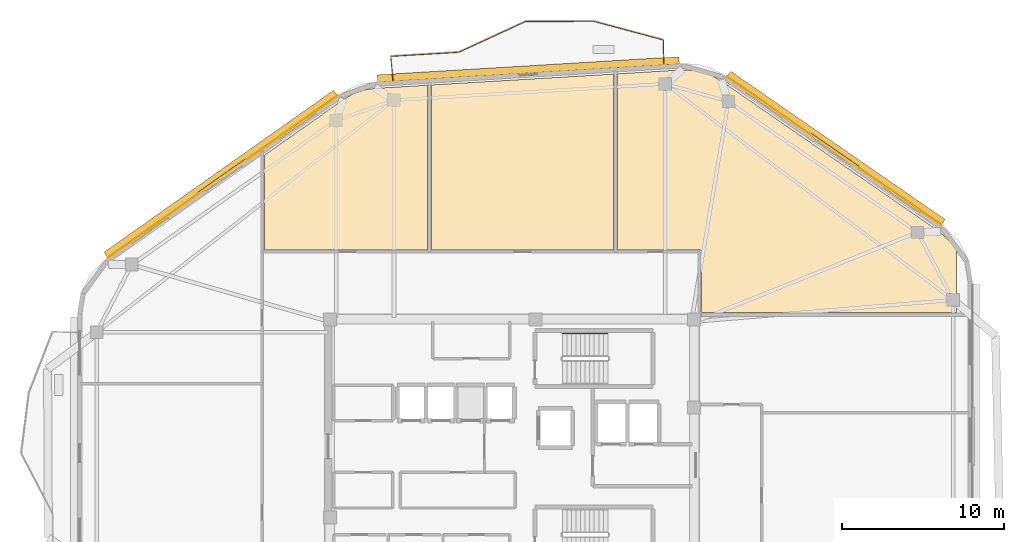
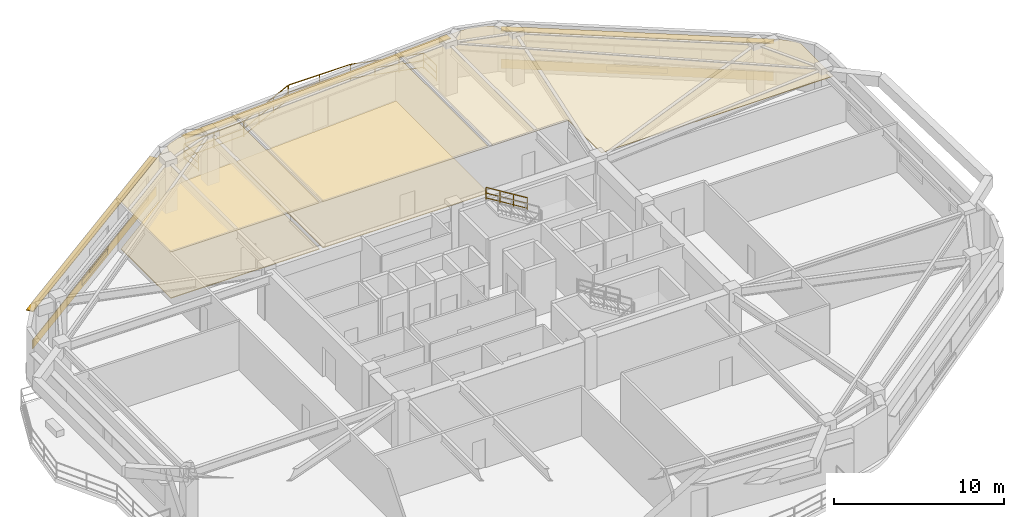
# One storey, part 9 of 10: 7 coverings, 7 railings, 5 shading devices.
"""IFC4 building model written with IfcOpenShell, lengths in metres."""

from ifc_helpers import new_model, si_unit, direction, frame, origin, origin_2d, place, context, subcontext, project, spatial, polyline, rectangle, outline, extrude, material, layer, layer_set, type_object, element, save


model = new_model("IFC4")

# Units and contexts
model_context = context("Model", 3, precision=1e-05, world=origin(), true_north=direction((0.0, 1.0)))
body_context = subcontext(model_context, "Body", "Model", "MODEL_VIEW")
ifc_project = project(units=[si_unit("LENGTHUNIT", "METRE"), si_unit("AREAUNIT", "SQUARE_METRE"), si_unit("VOLUMEUNIT", "CUBIC_METRE"), si_unit("PLANEANGLEUNIT", "RADIAN"), si_unit("MASSUNIT", "GRAM", prefix="KILO")], contexts=[model_context])

# Site, building, storey
site_placement = place(None, origin())
site = spatial("IfcSite", under=ifc_project, at=site_placement, CompositionType="ELEMENT")
building_placement = place(site_placement, origin())
building = spatial("IfcBuilding", under=site, at=building_placement, Name="Zulverin Broadcast Headquarters", CompositionType="ELEMENT")
storey_placement = place(building_placement, frame((0.0, 0.0, 236.39990234375)))
storey = spatial("IfcBuildingStorey", under=building, at=storey_placement, Name="L60", CompositionType="ELEMENT", Elevation=236.39990234375)

# Coverings
ifc_material_1 = material(Name="Perforated pale-metal acoustic baffle ceiling", Category="aluminium")
ifc_layer_1 = layer(ifc_material_1, 0.0400390625, Name="Perforated pale-metal acoustic baffle ceiling", Category="aluminium")
ifc_layer_set_1 = layer_set([ifc_layer_1], Name="Perforated pale-metal acoustic baffle ceiling")
covering_type_1 = type_object("IfcCoveringType", Name="COV-CEIL-ACOU", PredefinedType="CEILING", material=ifc_layer_set_1)
covering_1_placement = place(storey_placement, frame((0.0, 0.0, 3.330078125)))
element("IfcCovering", 1, at=covering_1_placement, inside=storey, type_object=covering_type_1, Name="L60 Acoustic Baffle Ceiling 01", PredefinedType="CEILING", context=body_context, shape_type="SweptSolid", body=[
    extrude(outline(polyline([(31.780029296875, 37.3720703125), (31.780029296875, 47.568115234375), (28.52392578125, 47.3720703125), (27.827880859375, 47.26806640625), (27.18798828125, 47.0400390625), (26.575927734375, 46.69189453125), (21.66796875, 43.22412109375), (21.66796875, 37.3720703125), (31.780029296875, 37.3720703125)])), origin(), (0.0, 0.0, 1.0), 0.0400390625),
])
covering_2_placement = place(storey_placement, frame((0.0, 0.0, 3.330078125)))
element("IfcCovering", 2, at=covering_2_placement, inside=storey, type_object=covering_type_1, Name="L60 Acoustic Baffle Ceiling 02", PredefinedType="CEILING", context=body_context, shape_type="SweptSolid", body=[
    extrude(outline(polyline([(43.280029296875, 37.3720703125), (43.280029296875, 48.256103515625), (32.02001953125, 47.583984375), (32.02001953125, 37.3720703125), (43.280029296875, 37.3720703125)])), origin(), (0.0, 0.0, 1.0), 0.0400390625),
])
covering_3_placement = place(storey_placement, frame((0.0, 0.0, 3.330078125)))
element("IfcCovering", 3, at=covering_3_placement, inside=storey, type_object=covering_type_1, Name="L60 Acoustic Baffle Ceiling 03", PredefinedType="CEILING", context=body_context, shape_type="SweptSolid", body=[
    extrude(outline(polyline([(48.716064453125, 37.27587890625), (48.719970703125, 37.263916015625), (48.719970703125, 37.251953125), (48.719970703125, 33.5), (64.5, 33.5), (64.5, 37.364013671875), (64.35595703125, 37.64404296875), (63.47607421875, 38.488037109375), (49.924072265625, 47.85205078125), (49.18798828125, 48.251953125), (48.39599609375, 48.471923828125), (47.56005859375, 48.51611328125), (43.52001953125, 48.27197265625), (43.52001953125, 37.3720703125), (48.60009765625, 37.3720703125), (48.612060546875, 37.3720703125), (48.6240234375, 37.367919921875), (48.635986328125, 37.367919921875), (48.64404296875, 37.364013671875), (48.656005859375, 37.35595703125), (48.66796875, 37.35205078125), (48.676025390625, 37.343994140625), (48.68408203125, 37.3359375), (48.69189453125, 37.327880859375), (48.699951171875, 37.320068359375), (48.7041015625, 37.30810546875), (48.7119140625, 37.2958984375), (48.716064453125, 37.2880859375), (48.716064453125, 37.27587890625)])), origin(), (0.0, 0.0, 1.0), 0.0400390625),
])
ifc_material_2 = material(Name="Brushed pale-aluminium rainscreen cladding", Category="aluminium")
ifc_layer_2 = layer(ifc_material_2, 0.0400390625, Name="Brushed pale-aluminium rainscreen cladding", Category="aluminium")
ifc_layer_set_2 = layer_set([ifc_layer_2], Name="Brushed pale-aluminium rainscreen cladding")
covering_type_2 = type_object("IfcCoveringType", Name="COV-CLAD-PALE", PredefinedType="CLADDING", material=ifc_layer_set_2)
covering_4_placement = place(storey_placement, frame((56.938232421875, 43.505126953125, 0.05517578125), z_axis=(0.0, 0.0, 1.0), x_axis=(-0.822655402653, 0.568540313861, 0.0)))
element("IfcCovering", 4, at=covering_4_placement, inside=storey, type_object=covering_type_2, Name="L60 Brushed Pale-Aluminium Spandrel Cladding 4", PredefinedType="CLADDING", context=body_context, shape_type="SweptSolid", body=[
    extrude(rectangle(XDim=16.1279296875, YDim=0.0400390625, at=origin_2d()), origin(), (0.0, 0.0, 1.0), 0.64990234375),
])
covering_5_placement = place(storey_placement, frame((19.093505859375, 41.9091796875, 0.05517578125), z_axis=(0.0, 0.0, 1.0), x_axis=(-0.817023146348, -0.576604871929, 0.0)))
element("IfcCovering", 5, at=covering_5_placement, inside=storey, type_object=covering_type_2, Name="L60 Brushed Pale-Aluminium Spandrel Cladding 6", PredefinedType="CLADDING", context=body_context, shape_type="SweptSolid", body=[
    extrude(rectangle(XDim=17.3798828125, YDim=0.0400390625, at=origin_2d()), origin(), (0.0, 0.0, 1.0), 0.64990234375),
])
ifc_material_3 = material(Name="Anti-static broadcast raised access flooring", Category="stone")
ifc_layer_3 = layer(ifc_material_3, 0.050048828125, Name="Anti-static broadcast raised access flooring", Category="stone")
ifc_layer_set_3 = layer_set([ifc_layer_3], Name="Anti-static broadcast raised access flooring")
covering_type_3 = type_object("IfcCoveringType", Name="COV-FLR-RAISED", PredefinedType="FLOORING", material=ifc_layer_set_3)
covering_6_placement = place(storey_placement, origin())
element("IfcCovering", 6, at=covering_6_placement, inside=storey, type_object=covering_type_3, Name="L60 Broadcast Raised Access Flooring 01", PredefinedType="FLOORING", context=body_context, shape_type="SweptSolid", body=[
    extrude(outline(polyline([(31.780029296875, 37.3720703125), (31.780029296875, 47.568115234375), (28.52392578125, 47.3720703125), (27.827880859375, 47.26806640625), (27.18798828125, 47.0400390625), (26.575927734375, 46.69189453125), (21.66796875, 43.22412109375), (21.66796875, 37.3720703125), (31.780029296875, 37.3720703125)])), origin(), (0.0, 0.0, 1.0), 0.050048828125),
])
covering_7_placement = place(storey_placement, origin())
element("IfcCovering", 7, at=covering_7_placement, inside=storey, type_object=covering_type_3, Name="L60 Broadcast Raised Access Flooring 02", PredefinedType="FLOORING", context=body_context, shape_type="SweptSolid", body=[
    extrude(outline(polyline([(43.280029296875, 37.3720703125), (43.280029296875, 48.256103515625), (32.02001953125, 47.583984375), (32.02001953125, 37.3720703125), (43.280029296875, 37.3720703125)])), origin(), (0.0, 0.0, 1.0), 0.050048828125),
])

# Railings
ifc_material_4 = material(Name="Brushed stainless steel & laminated glass balustrade", Category="steel")
railing_type_1 = type_object("IfcRailingType", Name="RL-GUARD-1150", PredefinedType="GUARDRAIL", material=ifc_material_4)
railing_1_placement = place(storey_placement, frame((46.397216796875, 48.885498046875, 0.0)))
element("IfcRailing", 8, at=railing_1_placement, inside=storey, type_object=railing_type_1, Name="L60 Vertical-Forest Balcony Guardrail BAL_N Segment 01", PredefinedType="GUARDRAIL", context=body_context, shape_type="SweptSolid", body=[
    extrude(rectangle(XDim=0.048095703125, YDim=0.048095703125, at=origin_2d()), frame((0.0, 0.0, 1.1259765625), z_axis=(-0.019480066399, 0.999810245503, 0.0), x_axis=(-0.999810245503, -0.019480066399, 0.0)), (0.0, 0.0, 1.0), 1.46630859375),
    extrude(rectangle(XDim=0.0419921875, YDim=0.0419921875, at=origin_2d()), frame((0.0, 0.0, 0.597900390625), z_axis=(-0.019480066399, 0.999810245503, 0.0), x_axis=(-0.999810245503, -0.019480066399, 0.0)), (0.0, 0.0, 1.0), 1.46630859375),
    extrude(rectangle(XDim=0.0419921875, YDim=0.0419921875, at=origin_2d()), frame((0.0, 0.0, 0.1201171875), z_axis=(-0.019480066399, 0.999810245503, 0.0), x_axis=(-0.999810245503, -0.019480066399, 0.0)), (0.0, 0.0, 1.0), 1.46630859375),
    extrude(rectangle(XDim=0.0419921875, YDim=0.0419921875, at=origin_2d()), origin(), (0.0, 0.0, 1.0), 1.101806640625),
    extrude(rectangle(XDim=0.0419921875, YDim=0.0419921875, at=origin_2d()), frame((-0.028564453125, 1.466064453125, 0.0)), (0.0, 0.0, 1.0), 1.101806640625),
])
railing_2_placement = place(storey_placement, frame((46.353759765625, 50.370361328125, 0.0)))
element("IfcRailing", 9, at=railing_2_placement, inside=storey, type_object=railing_type_1, Name="L60 Vertical-Forest Balcony Guardrail BAL_N Segment 02", PredefinedType="GUARDRAIL", context=body_context, shape_type="SweptSolid", body=[
    extrude(rectangle(XDim=0.048095703125, YDim=0.048095703125, at=origin_2d()), frame((0.0, 0.0, 1.1259765625), z_axis=(-0.965758297957, 0.25944346191, 0.0), x_axis=(-0.25944346191, -0.965758297957, 0.0)), (0.0, 0.0, 1.0), 4.427490234375),
    extrude(rectangle(XDim=0.0419921875, YDim=0.0419921875, at=origin_2d()), frame((0.0, 0.0, 0.597900390625), z_axis=(-0.965758297957, 0.25944346191, 0.0), x_axis=(-0.25944346191, -0.965758297957, 0.0)), (0.0, 0.0, 1.0), 4.427490234375),
    extrude(rectangle(XDim=0.0419921875, YDim=0.0419921875, at=origin_2d()), frame((0.0, 0.0, 0.1201171875), z_axis=(-0.965758297957, 0.25944346191, 0.0), x_axis=(-0.25944346191, -0.965758297957, 0.0)), (0.0, 0.0, 1.0), 4.427490234375),
    extrude(rectangle(XDim=0.0419921875, YDim=0.0419921875, at=origin_2d()), origin(), (0.0, 0.0, 1.0), 1.101806640625),
    extrude(rectangle(XDim=0.0419921875, YDim=0.0419921875, at=origin_2d()), frame((-1.42529296875, 0.3828125, 0.0)), (0.0, 0.0, 1.0), 1.101806640625),
    extrude(rectangle(XDim=0.0419921875, YDim=0.0419921875, at=origin_2d()), frame((-2.8505859375, 0.765869140625, 0.0)), (0.0, 0.0, 1.0), 1.101806640625),
    extrude(rectangle(XDim=0.0419921875, YDim=0.0419921875, at=origin_2d()), frame((-4.27587890625, 1.148681640625, 0.0)), (0.0, 0.0, 1.0), 1.101806640625),
])
railing_3_placement = place(storey_placement, frame((42.048583984375, 51.52294921875, 0.0)))
element("IfcRailing", 10, at=railing_3_placement, inside=storey, type_object=railing_type_1, Name="L60 Vertical-Forest Balcony Guardrail BAL_N Segment 03", PredefinedType="GUARDRAIL", context=body_context, shape_type="SweptSolid", body=[
    extrude(rectangle(XDim=0.048095703125, YDim=0.048095703125, at=origin_2d()), frame((0.0, 0.0, 1.1259765625), z_axis=(-0.999993308399, -0.003658299659, 0.0), x_axis=(0.003658299659, -0.999993308399, 0.0)), (0.0, 0.0, 1.0), 4.204345703125),
    extrude(rectangle(XDim=0.0419921875, YDim=0.0419921875, at=origin_2d()), frame((0.0, 0.0, 0.597900390625), z_axis=(-0.999993308399, -0.003658299659, 0.0), x_axis=(0.003658299659, -0.999993308399, 0.0)), (0.0, 0.0, 1.0), 4.204345703125),
    extrude(rectangle(XDim=0.0419921875, YDim=0.0419921875, at=origin_2d()), frame((0.0, 0.0, 0.1201171875), z_axis=(-0.999993308399, -0.003658299659, 0.0), x_axis=(0.003658299659, -0.999993308399, 0.0)), (0.0, 0.0, 1.0), 4.204345703125),
    extrude(rectangle(XDim=0.0419921875, YDim=0.0419921875, at=origin_2d()), origin(), (0.0, 0.0, 1.0), 1.101806640625),
    extrude(rectangle(XDim=0.0419921875, YDim=0.0419921875, at=origin_2d()), frame((-2.10205078125, -0.0078125, 0.0)), (0.0, 0.0, 1.0), 1.101806640625),
    extrude(rectangle(XDim=0.0419921875, YDim=0.0419921875, at=origin_2d()), frame((-4.204345703125, -0.015380859375, 0.0)), (0.0, 0.0, 1.0), 1.101806640625),
])
railing_4_placement = place(storey_placement, frame((37.815673828125, 51.501220703125, 0.0)))
element("IfcRailing", 11, at=railing_4_placement, inside=storey, type_object=railing_type_1, Name="L60 Vertical-Forest Balcony Guardrail BAL_N Segment 04", PredefinedType="GUARDRAIL", context=body_context, shape_type="SweptSolid", body=[
    extrude(rectangle(XDim=0.048095703125, YDim=0.048095703125, at=origin_2d()), frame((0.0, 0.0, 1.1259765625), z_axis=(-0.908052870887, -0.418855564214, 0.0), x_axis=(0.418855564214, -0.908052870887, 0.0)), (0.0, 0.0, 1.0), 4.508544921875),
    extrude(rectangle(XDim=0.0419921875, YDim=0.0419921875, at=origin_2d()), frame((0.0, 0.0, 0.597900390625), z_axis=(-0.908052870887, -0.418855564214, 0.0), x_axis=(0.418855564214, -0.908052870887, 0.0)), (0.0, 0.0, 1.0), 4.508544921875),
    extrude(rectangle(XDim=0.0419921875, YDim=0.0419921875, at=origin_2d()), frame((0.0, 0.0, 0.1201171875), z_axis=(-0.908052870887, -0.418855564214, 0.0), x_axis=(0.418855564214, -0.908052870887, 0.0)), (0.0, 0.0, 1.0), 4.508544921875),
    extrude(rectangle(XDim=0.0419921875, YDim=0.0419921875, at=origin_2d()), origin(), (0.0, 0.0, 1.0), 1.101806640625),
    extrude(rectangle(XDim=0.0419921875, YDim=0.0419921875, at=origin_2d()), frame((-1.36474609375, -0.62939453125, 0.0)), (0.0, 0.0, 1.0), 1.101806640625),
    extrude(rectangle(XDim=0.0419921875, YDim=0.0419921875, at=origin_2d()), frame((-2.729248046875, -1.259033203125, 0.0)), (0.0, 0.0, 1.0), 1.101806640625),
    extrude(rectangle(XDim=0.0419921875, YDim=0.0419921875, at=origin_2d()), frame((-4.093994140625, -1.888427734375, 0.0)), (0.0, 0.0, 1.0), 1.101806640625),
])
railing_5_placement = place(storey_placement, frame((33.693115234375, 49.60546875, 0.0)))
element("IfcRailing", 12, at=railing_5_placement, inside=storey, type_object=railing_type_1, Name="L60 Vertical-Forest Balcony Guardrail BAL_N Segment 05", PredefinedType="GUARDRAIL", context=body_context, shape_type="SweptSolid", body=[
    extrude(rectangle(XDim=0.048095703125, YDim=0.048095703125, at=origin_2d()), frame((0.0, 0.0, 1.1259765625), z_axis=(-0.998204080423, -0.059905040077, 0.0), x_axis=(0.059905040077, -0.998204080423, 0.0)), (0.0, 0.0, 1.0), 4.19775390625),
    extrude(rectangle(XDim=0.0419921875, YDim=0.0419921875, at=origin_2d()), frame((0.0, 0.0, 0.597900390625), z_axis=(-0.998204080423, -0.059905040077, 0.0), x_axis=(0.059905040077, -0.998204080423, 0.0)), (0.0, 0.0, 1.0), 4.19775390625),
    extrude(rectangle(XDim=0.0419921875, YDim=0.0419921875, at=origin_2d()), frame((0.0, 0.0, 0.1201171875), z_axis=(-0.998204080423, -0.059905040077, 0.0), x_axis=(0.059905040077, -0.998204080423, 0.0)), (0.0, 0.0, 1.0), 4.19775390625),
    extrude(rectangle(XDim=0.0419921875, YDim=0.0419921875, at=origin_2d()), origin(), (0.0, 0.0, 1.0), 1.101806640625),
    extrude(rectangle(XDim=0.0419921875, YDim=0.0419921875, at=origin_2d()), frame((-2.09521484375, -0.125732421875, 0.0)), (0.0, 0.0, 1.0), 1.101806640625),
    extrude(rectangle(XDim=0.0419921875, YDim=0.0419921875, at=origin_2d()), frame((-4.190185546875, -0.25146484375, 0.0)), (0.0, 0.0, 1.0), 1.101806640625),
])
railing_6_placement = place(storey_placement, frame((29.489501953125, 49.338134765625, 0.0)))
element("IfcRailing", 13, at=railing_6_placement, inside=storey, type_object=railing_type_1, Name="L60 Vertical-Forest Balcony Guardrail BAL_N Segment 06", PredefinedType="GUARDRAIL", context=body_context, shape_type="SweptSolid", body=[
    extrude(rectangle(XDim=0.048095703125, YDim=0.048095703125, at=origin_2d()), frame((0.0, 0.0, 1.1259765625), z_axis=(0.100245616419, -0.994962721105, 0.0), x_axis=(0.994962721105, 0.100245616419, 0.0)), (0.0, 0.0, 1.0), 1.466064453125),
    extrude(rectangle(XDim=0.0419921875, YDim=0.0419921875, at=origin_2d()), frame((0.0, 0.0, 0.597900390625), z_axis=(0.100245616419, -0.994962721105, 0.0), x_axis=(0.994962721105, 0.100245616419, 0.0)), (0.0, 0.0, 1.0), 1.466064453125),
    extrude(rectangle(XDim=0.0419921875, YDim=0.0419921875, at=origin_2d()), frame((0.0, 0.0, 0.1201171875), z_axis=(0.100245616419, -0.994962721105, 0.0), x_axis=(0.994962721105, 0.100245616419, 0.0)), (0.0, 0.0, 1.0), 1.466064453125),
    extrude(rectangle(XDim=0.0419921875, YDim=0.0419921875, at=origin_2d()), origin(), (0.0, 0.0, 1.0), 1.101806640625),
    extrude(rectangle(XDim=0.0419921875, YDim=0.0419921875, at=origin_2d()), frame((0.14697265625, -1.458740234375, 0.0)), (0.0, 0.0, 1.0), 1.101806640625),
])
ifc_material_5 = material(Name="Brushed stainless steel 48 mm handrail", Category="steel")
railing_type_2 = type_object("IfcRailingType", Name="RL-ST-HAND", PredefinedType="HANDRAIL", material=ifc_material_5)
railing_7_placement = place(storey_placement, frame((42.929931640625, 32.199951171875, 2.07275390625)))
element("IfcRailing", 14, at=railing_7_placement, inside=storey, type_object=railing_type_2, Name="L60 ST-1 stair handrail 2", PredefinedType="HANDRAIL", context=body_context, shape_type="SweptSolid", body=[
    extrude(rectangle(XDim=0.048095703125, YDim=0.048095703125, at=origin_2d()), frame((0.0, 0.0, 0.8759765625), z_axis=(-0.851089632645, 0.0, 0.525020415988), x_axis=(0.0, -1.0, 0.0)), (0.0, 0.0, 1.0), 3.2900390625),
    extrude(rectangle(XDim=0.0419921875, YDim=0.0419921875, at=origin_2d()), frame((0.0, 0.0, 0.468017578125), z_axis=(-0.851089632645, 0.0, 0.525020415988), x_axis=(0.0, -1.0, 0.0)), (0.0, 0.0, 1.0), 3.2900390625),
    extrude(rectangle(XDim=0.0419921875, YDim=0.0419921875, at=origin_2d()), frame((0.0, 0.0, 0.1201171875), z_axis=(-0.851089632645, 0.0, 0.525020415988), x_axis=(0.0, -1.0, 0.0)), (0.0, 0.0, 1.0), 3.2900390625),
    extrude(rectangle(XDim=0.0419921875, YDim=0.0419921875, at=origin_2d()), origin(), (0.0, 0.0, 1.0), 0.851806640625),
    extrude(rectangle(XDim=0.0419921875, YDim=0.0419921875, at=origin_2d()), frame((-0.933349609375, 0.0, 0.57568359375)), (0.0, 0.0, 1.0), 0.851806640625),
    extrude(rectangle(XDim=0.0419921875, YDim=0.0419921875, at=origin_2d()), frame((-1.86669921875, 0.0, 1.151611328125)), (0.0, 0.0, 1.0), 0.851806640625),
    extrude(rectangle(XDim=0.0419921875, YDim=0.0419921875, at=origin_2d()), frame((-2.800048828125, 0.0, 1.727294921875)), (0.0, 0.0, 1.0), 0.851806640625),
])

# Shading devices
ifc_material_6 = material(Name="Anodized pale-metal aluminium acoustic louvre", Category="aluminium")
shading_device_type_1 = type_object("IfcShadingDeviceType", Name="SHD-LOUVRE-350", PredefinedType="USERDEFINED", material=ifc_material_6)
for number, where, z_axis, x_axis, name in (
    (15, (56.955322265625, 43.52978515625, 0.2451171875), (0.0, 0.0, 1.0), (-0.822655402653, 0.568540313861, 0.0), "L60 Spandrel Intake Louvre 4"),
    (16, (19.076171875, 41.933837890625, 0.2451171875), (0.0, 0.0, 1.0), (-0.817023146348, -0.576604871929, 0.0), "L60 Spandrel Intake Louvre 6"),
):
    element("IfcShadingDevice", number, at=place(storey_placement, frame(where, z_axis=z_axis, x_axis=x_axis)), inside=storey, type_object=shading_device_type_1, Name=name, ObjectType="LOUVRE", PredefinedType="USERDEFINED", context=body_context, shape_type="SweptSolid", body=[
        extrude(rectangle(XDim=3.60009765625, YDim=0.1201171875, at=origin_2d()), origin(), (0.0, 0.0, 1.0), 0.35009765625),
    ])
ifc_material_7 = material(Name="Anodized pale-metal aluminium sunshade", Category="aluminium")
ifc_layer_4 = layer(ifc_material_7, 0.06005859375, Name="Anodized pale-metal aluminium sunshade", Category="aluminium")
ifc_layer_set_4 = layer_set([ifc_layer_4], Name="Anodized pale-metal aluminium sunshade")
shading_device_type_2 = type_object("IfcShadingDeviceType", Name="SS-01_PALE_METAL_ALUMINIUM_SUNSHADE", PredefinedType="USERDEFINED", material=ifc_layer_set_4)
shading_device_1_placement = place(storey_placement, frame((57.04638671875, 43.66162109375, 2.7099609375), z_axis=(0.0, 0.0, 1.0), x_axis=(-0.822655402653, 0.568540313861, 0.0)))
element("IfcShadingDevice", 17, at=shading_device_1_placement, inside=storey, type_object=shading_device_type_2, Name="L60 Horizontal Pale-Metal Sunshade Band 4", ObjectType="SUNSHADE", PredefinedType="USERDEFINED", context=body_context, shape_type="SweptSolid", body=[
    extrude(rectangle(XDim=16.1279296875, YDim=0.449951171875, at=origin_2d()), origin(), (0.0, 0.0, 1.0), 0.06005859375),
])
shading_device_2_placement = place(storey_placement, frame((38.007080078125, 48.542236328125, 2.7099609375), z_axis=(0.0, 0.0, 1.0), x_axis=(-0.99820257679, -0.059930090026, 0.0)))
element("IfcShadingDevice", 18, at=shading_device_2_placement, inside=storey, type_object=shading_device_type_2, Name="L60 Horizontal Pale-Metal Sunshade Band 5", ObjectType="SUNSHADE", PredefinedType="USERDEFINED", context=body_context, shape_type="SweptSolid", body=[
    extrude(rectangle(XDim=18.710693359375, YDim=0.449951171875, at=origin_2d()), origin(), (0.0, 0.0, 1.0), 0.06005859375),
])
shading_device_3_placement = place(storey_placement, frame((18.98388671875, 42.064453125, 2.7099609375), z_axis=(0.0, 0.0, 1.0), x_axis=(-0.817023146348, -0.576604871929, 0.0)))
element("IfcShadingDevice", 19, at=shading_device_3_placement, inside=storey, type_object=shading_device_type_2, Name="L60 Horizontal Pale-Metal Sunshade Band 6", ObjectType="SUNSHADE", PredefinedType="USERDEFINED", context=body_context, shape_type="SweptSolid", body=[
    extrude(rectangle(XDim=17.3798828125, YDim=0.449951171875, at=origin_2d()), origin(), (0.0, 0.0, 1.0), 0.06005859375),
])

save(model, "model.ifc")
